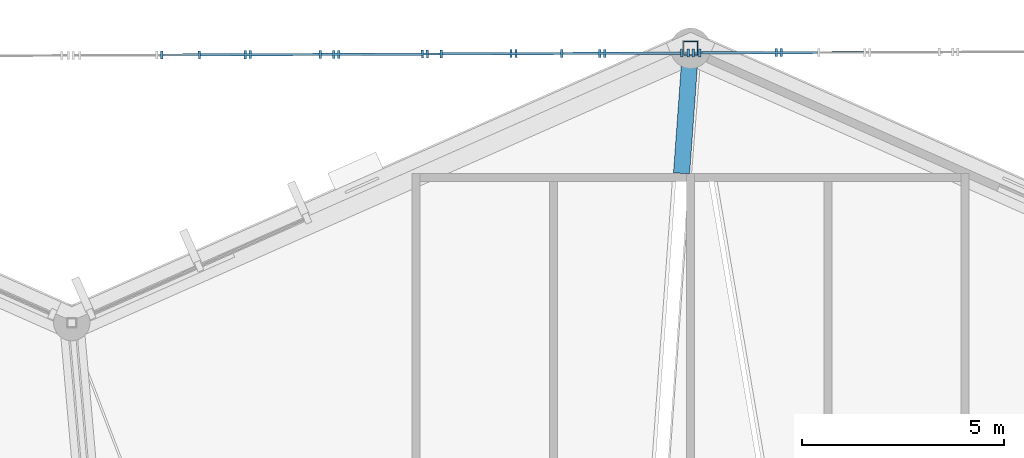
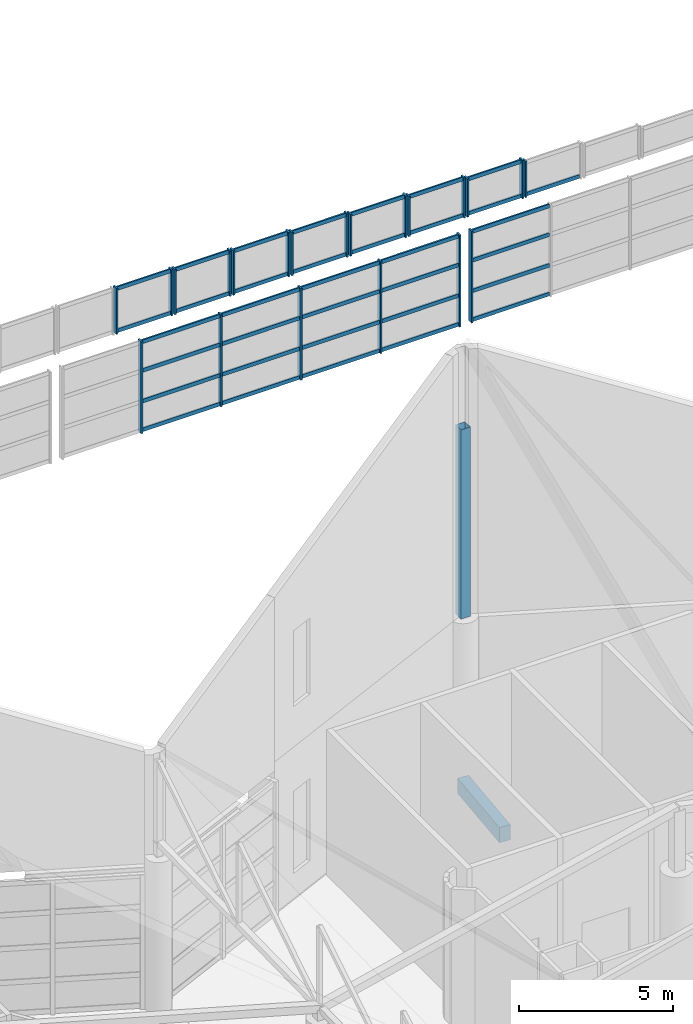
# One storey, part 172 of 344: 57 members, 1 beam, 10 elements without a shape of their own.
"""IFC4 building model written with IfcOpenShell, lengths in metres."""

from ifc_helpers import new_model, si_unit, direction, frame, origin, origin_2d, place, context, subcontext, project, spatial, rectangle, hollow_rectangle, extrude, material, layer, layer_set, material_profile, profile_set, type_object, element, aggregate, save


model = new_model("IFC4")

# Units and contexts
model_context = context("Model", 3, precision=1e-05, world=origin(), true_north=direction((0.0, 1.0)))
body_context = subcontext(model_context, "Body", "Model", "MODEL_VIEW")
ifc_project = project(units=[si_unit("LENGTHUNIT", "METRE"), si_unit("AREAUNIT", "SQUARE_METRE"), si_unit("VOLUMEUNIT", "CUBIC_METRE"), si_unit("PLANEANGLEUNIT", "RADIAN"), si_unit("MASSUNIT", "GRAM", prefix="KILO")], contexts=[model_context])

# Site, building, storey
site_placement = place(None, origin())
site = spatial("IfcSite", under=ifc_project, at=site_placement, CompositionType="ELEMENT")
building_placement = place(site_placement, origin())
building = spatial("IfcBuilding", under=site, at=building_placement, Name="Meseta Stadium", CompositionType="ELEMENT")
storey_placement = place(building_placement, frame((0.0, 0.0, 24.0)))
storey = spatial("IfcBuildingStorey", under=building, at=storey_placement, Name="L04", CompositionType="ELEMENT", Elevation=24.0)

# Curtain wall, member
ifc_material_1 = material(Name="Aluminium", Category="aluminium")
ifc_layer = layer(ifc_material_1, 0.199951171875)
ifc_layer_set = layer_set([ifc_layer], Name="Gable glazing curtain wall")
curtain_wall_type = type_object("IfcCurtainWallType", Name="Gable glazing curtain wall", PredefinedType="NOTDEFINED", material=ifc_layer_set)
curtain_wall_1_placement = place(storey_placement, origin())
curtain_wall_1 = element("IfcCurtainWall", 1, at=curtain_wall_1_placement, inside=storey, type_object=curtain_wall_type, Name="Gable glazing north bay 13", PredefinedType="NOTDEFINED")
ifc_material_2 = material(Name="Aluminium", Category="aluminium")
ifc_material_profile_1 = material_profile(ifc_material_2, rectangle(XDim=0.199951171875, YDim=0.06005859375, at=origin_2d()), Name="CW 200x60")
ifc_profile_set_1 = profile_set([ifc_material_profile_1], Name="Aluminium")
member_type_1 = type_object("IfcMemberType", Name="CW mullion 60x200", PredefinedType="MULLION", material=ifc_profile_set_1)
member_1_placement = place(storey_placement, frame((9.915771484375, 105.290771484375, 21.85498046875), z_axis=(0.0, 0.0, 1.0), x_axis=(0.003847534233, -0.999992598213, 0.0)))
member_1 = element("IfcMember", 2, at=member_1_placement, type_object=member_type_1, Name="CWG mullion 2", PredefinedType="MULLION", context=body_context, shape_type="SweptSolid", body=[
    extrude(rectangle(XDim=0.199951171875, YDim=0.06005859375, at=origin_2d()), origin(), (0.0, 0.0, 1.0), 1.422607421875),
])

# Curtain wall, members
curtain_wall_2_placement = place(storey_placement, origin())
curtain_wall_2 = element("IfcCurtainWall", 3, at=curtain_wall_2_placement, inside=storey, type_object=curtain_wall_type, Name="Gable glazing north bay 14", PredefinedType="NOTDEFINED")
member_2_placement = place(storey_placement, frame((9.791748046875, 105.290283203125, 21.85498046875), z_axis=(0.0, 0.0, 1.0), x_axis=(0.003847534233, -0.999992598213, 0.0)))
member_2 = element("IfcMember", 4, at=member_2_placement, type_object=member_type_1, Name="CWG mullion 1", PredefinedType="MULLION", context=body_context, shape_type="SweptSolid", body=[
    extrude(rectangle(XDim=0.199951171875, YDim=0.06005859375, at=origin_2d()), origin(), (0.0, 0.0, 1.0), 1.51318359375),
])
member_3_placement = place(storey_placement, frame((7.72900390625, 105.2822265625, 21.85498046875), z_axis=(0.0, 0.0, 1.0), x_axis=(0.003847534233, -0.999992598213, 0.0)))
member_3 = element("IfcMember", 5, at=member_3_placement, type_object=member_type_1, Name="CWG mullion 2", PredefinedType="MULLION", context=body_context, shape_type="SweptSolid", body=[
    extrude(rectangle(XDim=0.199951171875, YDim=0.06005859375, at=origin_2d()), origin(), (0.0, 0.0, 1.0), 1.51318359375),
])

curtain_wall_3_placement = place(storey_placement, origin())
curtain_wall_3 = element("IfcCurtainWall", 6, at=curtain_wall_3_placement, inside=storey, type_object=curtain_wall_type, Name="Gable glazing north bay 15", PredefinedType="NOTDEFINED")
member_4_placement = place(storey_placement, frame((7.605224609375, 105.28173828125, 21.85498046875), z_axis=(0.0, 0.0, 1.0), x_axis=(0.003847534652, -0.999992598211, 0.0)))
member_4 = element("IfcMember", 7, at=member_4_placement, type_object=member_type_1, Name="CWG mullion 1", PredefinedType="MULLION", context=body_context, shape_type="SweptSolid", body=[
    extrude(rectangle(XDim=0.199951171875, YDim=0.06005859375, at=origin_2d()), origin(), (0.0, 0.0, 1.0), 1.59228515625),
])
member_5_placement = place(storey_placement, frame((5.534912109375, 105.27392578125, 21.85498046875), z_axis=(0.0, 0.0, 1.0), x_axis=(0.003847534652, -0.999992598211, 0.0)))
member_5 = element("IfcMember", 8, at=member_5_placement, type_object=member_type_1, Name="CWG mullion 2", PredefinedType="MULLION", context=body_context, shape_type="SweptSolid", body=[
    extrude(rectangle(XDim=0.199951171875, YDim=0.06005859375, at=origin_2d()), origin(), (0.0, 0.0, 1.0), 1.59228515625),
])

curtain_wall_4_placement = place(storey_placement, origin())
curtain_wall_4 = element("IfcCurtainWall", 9, at=curtain_wall_4_placement, inside=storey, type_object=curtain_wall_type, Name="Gable glazing north bay 16", PredefinedType="NOTDEFINED")
member_6_placement = place(storey_placement, frame((5.410888671875, 105.2734375, 21.85498046875), z_axis=(0.0, 0.0, 1.0), x_axis=(0.003847534181, -0.999992598213, 0.0)))
member_6 = element("IfcMember", 10, at=member_6_placement, type_object=member_type_1, Name="CWG mullion 1", PredefinedType="MULLION", context=body_context, shape_type="SweptSolid", body=[
    extrude(rectangle(XDim=0.199951171875, YDim=0.06005859375, at=origin_2d()), origin(), (0.0, 0.0, 1.0), 1.66015625),
])
member_7_placement = place(storey_placement, frame((3.3408203125, 105.265380859375, 21.85498046875), z_axis=(0.0, 0.0, 1.0), x_axis=(0.003847534181, -0.999992598213, 0.0)))
member_7 = element("IfcMember", 11, at=member_7_placement, type_object=member_type_1, Name="CWG mullion 2", PredefinedType="MULLION", context=body_context, shape_type="SweptSolid", body=[
    extrude(rectangle(XDim=0.199951171875, YDim=0.06005859375, at=origin_2d()), origin(), (0.0, 0.0, 1.0), 1.66015625),
])

curtain_wall_5_placement = place(storey_placement, origin())
curtain_wall_5 = element("IfcCurtainWall", 12, at=curtain_wall_5_placement, inside=storey, type_object=curtain_wall_type, Name="Gable glazing north bay 17", PredefinedType="NOTDEFINED")
member_8_placement = place(storey_placement, frame((3.216796875, 105.264892578125, 21.85498046875), z_axis=(0.0, 0.0, 1.0), x_axis=(0.003847534181, -0.999992598213, 0.0)))
member_8 = element("IfcMember", 13, at=member_8_placement, type_object=member_type_1, Name="CWG mullion 1", PredefinedType="MULLION", context=body_context, shape_type="SweptSolid", body=[
    extrude(rectangle(XDim=0.199951171875, YDim=0.06005859375, at=origin_2d()), origin(), (0.0, 0.0, 1.0), 1.716796875),
])
member_9_placement = place(storey_placement, frame((1.146484375, 105.2568359375, 21.85498046875), z_axis=(0.0, 0.0, 1.0), x_axis=(0.003847534181, -0.999992598213, 0.0)))
member_9 = element("IfcMember", 14, at=member_9_placement, type_object=member_type_1, Name="CWG mullion 2", PredefinedType="MULLION", context=body_context, shape_type="SweptSolid", body=[
    extrude(rectangle(XDim=0.199951171875, YDim=0.06005859375, at=origin_2d()), origin(), (0.0, 0.0, 1.0), 1.716796875),
])

curtain_wall_6_placement = place(storey_placement, origin())
curtain_wall_6 = element("IfcCurtainWall", 15, at=curtain_wall_6_placement, inside=storey, type_object=curtain_wall_type, Name="Gable glazing north bay 18", PredefinedType="NOTDEFINED")
member_10_placement = place(storey_placement, frame((1.0224609375, 105.25634765625, 21.85498046875), z_axis=(0.0, 0.0, 1.0), x_axis=(0.003847534181, -0.999992598213, 0.0)))
member_10 = element("IfcMember", 16, at=member_10_placement, type_object=member_type_1, Name="CWG mullion 1", PredefinedType="MULLION", context=body_context, shape_type="SweptSolid", body=[
    extrude(rectangle(XDim=0.199951171875, YDim=0.06005859375, at=origin_2d()), origin(), (0.0, 0.0, 1.0), 1.76220703125),
])
member_11_placement = place(storey_placement, frame((-1.047607421875, 105.24853515625, 21.85498046875), z_axis=(0.0, 0.0, 1.0), x_axis=(0.003847534181, -0.999992598213, 0.0)))
member_11 = element("IfcMember", 17, at=member_11_placement, type_object=member_type_1, Name="CWG mullion 2", PredefinedType="MULLION", context=body_context, shape_type="SweptSolid", body=[
    extrude(rectangle(XDim=0.199951171875, YDim=0.06005859375, at=origin_2d()), origin(), (0.0, 0.0, 1.0), 1.76220703125),
])

curtain_wall_7_placement = place(storey_placement, origin())
curtain_wall_7 = element("IfcCurtainWall", 18, at=curtain_wall_7_placement, inside=storey, type_object=curtain_wall_type, Name="Gable glazing north bay 19", PredefinedType="NOTDEFINED")
member_12_placement = place(storey_placement, frame((-1.171630859375, 105.248046875, 21.85498046875), z_axis=(0.0, 0.0, 1.0), x_axis=(0.003847534181, -0.999992598213, 0.0)))
member_12 = element("IfcMember", 19, at=member_12_placement, type_object=member_type_1, Name="CWG mullion 1", PredefinedType="MULLION", context=body_context, shape_type="SweptSolid", body=[
    extrude(rectangle(XDim=0.199951171875, YDim=0.06005859375, at=origin_2d()), origin(), (0.0, 0.0, 1.0), 1.796630859375),
])
member_13_placement = place(storey_placement, frame((-3.24169921875, 105.239990234375, 21.85498046875), z_axis=(0.0, 0.0, 1.0), x_axis=(0.003847534181, -0.999992598213, 0.0)))
member_13 = element("IfcMember", 20, at=member_13_placement, type_object=member_type_1, Name="CWG mullion 2", PredefinedType="MULLION", context=body_context, shape_type="SweptSolid", body=[
    extrude(rectangle(XDim=0.199951171875, YDim=0.06005859375, at=origin_2d()), origin(), (0.0, 0.0, 1.0), 1.796630859375),
])

curtain_wall_8_placement = place(storey_placement, origin())
curtain_wall_8 = element("IfcCurtainWall", 21, at=curtain_wall_8_placement, inside=storey, type_object=curtain_wall_type, Name="Gable glazing north bay 20", PredefinedType="NOTDEFINED")
member_14_placement = place(storey_placement, frame((-3.36572265625, 105.239501953125, 21.85498046875), z_axis=(0.0, 0.0, 1.0), x_axis=(0.003847534181, -0.999992598213, 0.0)))
member_14 = element("IfcMember", 22, at=member_14_placement, type_object=member_type_1, Name="CWG mullion 1", PredefinedType="MULLION", context=body_context, shape_type="SweptSolid", body=[
    extrude(rectangle(XDim=0.199951171875, YDim=0.06005859375, at=origin_2d()), origin(), (0.0, 0.0, 1.0), 1.820068359375),
])
member_15_placement = place(storey_placement, frame((-5.43603515625, 105.231689453125, 21.85498046875), z_axis=(0.0, 0.0, 1.0), x_axis=(0.003847534181, -0.999992598213, 0.0)))
member_15 = element("IfcMember", 23, at=member_15_placement, type_object=member_type_1, Name="CWG mullion 2", PredefinedType="MULLION", context=body_context, shape_type="SweptSolid", body=[
    extrude(rectangle(XDim=0.199951171875, YDim=0.06005859375, at=origin_2d()), origin(), (0.0, 0.0, 1.0), 1.820068359375),
])

# Curtain wall, member
curtain_wall_9_placement = place(storey_placement, origin())
curtain_wall_9 = element("IfcCurtainWall", 24, at=curtain_wall_9_placement, inside=storey, type_object=curtain_wall_type, Name="Gable glazing north lower bay 02", PredefinedType="NOTDEFINED")
member_16_placement = place(storey_placement, frame((7.892578125, 105.282958984375, 17.60009765625), z_axis=(0.0, 0.0, 1.0), x_axis=(0.003847534198, -0.999992598213, 0.0)))
member_16 = element("IfcMember", 25, at=member_16_placement, type_object=member_type_1, Name="CWG mullion 6", PredefinedType="MULLION", context=body_context, shape_type="SweptSolid", body=[
    extrude(rectangle(XDim=0.199951171875, YDim=0.06005859375, at=origin_2d()), origin(), (0.0, 0.0, 1.0), 3.635009765625),
])

# Curtain wall, members
curtain_wall_10_placement = place(storey_placement, origin())
curtain_wall_10 = element("IfcCurtainWall", 26, at=curtain_wall_10_placement, inside=storey, type_object=curtain_wall_type, Name="Gable glazing north lower bay 03", PredefinedType="NOTDEFINED")
member_17_placement = place(storey_placement, frame((7.441650390625, 105.28125, 17.60009765625), z_axis=(0.0, 0.0, 1.0), x_axis=(0.003847534216, -0.999992598213, 0.0)))
member_17 = element("IfcMember", 27, at=member_17_placement, type_object=member_type_1, Name="CWG mullion 1", PredefinedType="MULLION", context=body_context, shape_type="SweptSolid", body=[
    extrude(rectangle(XDim=0.199951171875, YDim=0.06005859375, at=origin_2d()), origin(), (0.0, 0.0, 1.0), 3.635009765625),
])
member_18_placement = place(storey_placement, frame((4.47802734375, 105.269775390625, 17.60009765625), z_axis=(0.0, 0.0, 1.0), x_axis=(0.003847534216, -0.999992598213, 0.0)))
member_18 = element("IfcMember", 28, at=member_18_placement, type_object=member_type_1, Name="CWG mullion 2", PredefinedType="MULLION", context=body_context, shape_type="SweptSolid", body=[
    extrude(rectangle(XDim=0.199951171875, YDim=0.06005859375, at=origin_2d()), origin(), (0.0, 0.0, 1.0), 3.635009765625),
])
member_19_placement = place(storey_placement, frame((1.484375, 105.25830078125, 17.60009765625), z_axis=(0.0, 0.0, 1.0), x_axis=(0.003847534216, -0.999992598213, 0.0)))
member_19 = element("IfcMember", 29, at=member_19_placement, type_object=member_type_1, Name="CWG mullion 3", PredefinedType="MULLION", context=body_context, shape_type="SweptSolid", body=[
    extrude(rectangle(XDim=0.199951171875, YDim=0.06005859375, at=origin_2d()), origin(), (0.0, 0.0, 1.0), 3.635009765625),
])
member_20_placement = place(storey_placement, frame((-1.50927734375, 105.24658203125, 17.60009765625), z_axis=(0.0, 0.0, 1.0), x_axis=(0.003847534216, -0.999992598213, 0.0)))
member_20 = element("IfcMember", 30, at=member_20_placement, type_object=member_type_1, Name="CWG mullion 4", PredefinedType="MULLION", context=body_context, shape_type="SweptSolid", body=[
    extrude(rectangle(XDim=0.199951171875, YDim=0.06005859375, at=origin_2d()), origin(), (0.0, 0.0, 1.0), 3.635009765625),
])
member_21_placement = place(storey_placement, frame((-4.5029296875, 105.235107421875, 17.60009765625), z_axis=(0.0, 0.0, 1.0), x_axis=(0.003847534216, -0.999992598213, 0.0)))
member_21 = element("IfcMember", 31, at=member_21_placement, type_object=member_type_1, Name="CWG mullion 5", PredefinedType="MULLION", context=body_context, shape_type="SweptSolid", body=[
    extrude(rectangle(XDim=0.199951171875, YDim=0.06005859375, at=origin_2d()), origin(), (0.0, 0.0, 1.0), 3.635009765625),
])

# Member
ifc_material_3 = material(Name="Aluminium", Category="aluminium")
ifc_material_profile_2 = material_profile(ifc_material_3, rectangle(XDim=0.06005859375, YDim=0.14990234375, at=origin_2d()), Name="CW 60x150")
ifc_profile_set_2 = profile_set([ifc_material_profile_2], Name="Aluminium")
member_type_2 = type_object("IfcMemberType", Name="CW transom 60x150", PredefinedType="USERDEFINED", material=ifc_profile_set_2)
member_22_placement = place(storey_placement, frame((11.948486328125, 105.298583984375, 21.929931640625), z_axis=(-0.99999239114, -0.003900982143, 0.0), x_axis=(0.003900982143, -0.99999239114, 0.0)))
member_22 = element("IfcMember", 32, at=member_22_placement, type_object=member_type_2, Name="CWG transom 1.1", ObjectType="TRANSOM", PredefinedType="USERDEFINED", context=body_context, shape_type="SweptSolid", body=[
    extrude(rectangle(XDim=0.06005859375, YDim=0.14990234375, at=origin_2d()), origin(), (0.0, 0.0, 1.0), 2.002685546875),
])

aggregate(curtain_wall_1, [member_1, member_22])

member_23_placement = place(storey_placement, frame((9.76171875, 105.2900390625, 21.929931640625), z_axis=(-0.999992859258, -0.00377907822, 0.0), x_axis=(0.00377907822, -0.999992859258, 0.0)))
member_23 = element("IfcMember", 33, at=member_23_placement, type_object=member_type_2, Name="CWG transom 1.1", ObjectType="TRANSOM", PredefinedType="USERDEFINED", context=body_context, shape_type="SweptSolid", body=[
    extrude(rectangle(XDim=0.06005859375, YDim=0.14990234375, at=origin_2d()), origin(), (0.0, 0.0, 1.0), 2.002685546875),
])

member_24_placement = place(storey_placement, frame((9.76171875, 105.2900390625, 23.293212890625), z_axis=(-0.999992859258, -0.00377907822, 0.0), x_axis=(0.00377907822, -0.999992859258, 0.0)))
member_24 = element("IfcMember", 34, at=member_24_placement, type_object=member_type_2, Name="CWG transom 1.2", ObjectType="TRANSOM", PredefinedType="USERDEFINED", context=body_context, shape_type="SweptSolid", body=[
    extrude(rectangle(XDim=0.06005859375, YDim=0.14990234375, at=origin_2d()), origin(), (0.0, 0.0, 1.0), 2.002685546875),
])

aggregate(curtain_wall_2, [member_2, member_3, member_23, member_24])

member_25_placement = place(storey_placement, frame((7.5751953125, 105.28173828125, 21.929931640625), z_axis=(-0.999992448325, -0.003886295646, 0.0), x_axis=(0.003886295646, -0.999992448325, 0.0)))
member_25 = element("IfcMember", 35, at=member_25_placement, type_object=member_type_2, Name="CWG transom 1.1", ObjectType="TRANSOM", PredefinedType="USERDEFINED", context=body_context, shape_type="SweptSolid", body=[
    extrude(rectangle(XDim=0.06005859375, YDim=0.14990234375, at=origin_2d()), origin(), (0.0, 0.0, 1.0), 2.01025390625),
])

member_26_placement = place(storey_placement, frame((7.5751953125, 105.28173828125, 23.372314453125), z_axis=(-0.999992448325, -0.003886295646, 0.0), x_axis=(0.003886295646, -0.999992448325, 0.0)))
member_26 = element("IfcMember", 36, at=member_26_placement, type_object=member_type_2, Name="CWG transom 1.2", ObjectType="TRANSOM", PredefinedType="USERDEFINED", context=body_context, shape_type="SweptSolid", body=[
    extrude(rectangle(XDim=0.06005859375, YDim=0.14990234375, at=origin_2d()), origin(), (0.0, 0.0, 1.0), 2.01025390625),
])

aggregate(curtain_wall_3, [member_4, member_5, member_25, member_26])

member_27_placement = place(storey_placement, frame((5.380859375, 105.273193359375, 21.929931640625), z_axis=(-0.99999244649, -0.003886767677, 0.0), x_axis=(0.003886767677, -0.99999244649, 0.0)))
member_27 = element("IfcMember", 37, at=member_27_placement, type_object=member_type_2, Name="CWG transom 1.1", ObjectType="TRANSOM", PredefinedType="USERDEFINED", context=body_context, shape_type="SweptSolid", body=[
    extrude(rectangle(XDim=0.06005859375, YDim=0.14990234375, at=origin_2d()), origin(), (0.0, 0.0, 1.0), 2.010009765625),
])

member_28_placement = place(storey_placement, frame((5.380859375, 105.273193359375, 23.440185546875), z_axis=(-0.99999244649, -0.003886767677, 0.0), x_axis=(0.003886767677, -0.99999244649, 0.0)))
member_28 = element("IfcMember", 38, at=member_28_placement, type_object=member_type_2, Name="CWG transom 1.2", ObjectType="TRANSOM", PredefinedType="USERDEFINED", context=body_context, shape_type="SweptSolid", body=[
    extrude(rectangle(XDim=0.06005859375, YDim=0.14990234375, at=origin_2d()), origin(), (0.0, 0.0, 1.0), 2.010009765625),
])

aggregate(curtain_wall_4, [member_6, member_7, member_27, member_28])

member_29_placement = place(storey_placement, frame((3.186767578125, 105.264892578125, 21.929931640625), z_axis=(-0.999992448325, -0.003886295646, 0.0), x_axis=(0.003886295646, -0.999992448325, 0.0)))
member_29 = element("IfcMember", 39, at=member_29_placement, type_object=member_type_2, Name="CWG transom 1.1", ObjectType="TRANSOM", PredefinedType="USERDEFINED", context=body_context, shape_type="SweptSolid", body=[
    extrude(rectangle(XDim=0.06005859375, YDim=0.14990234375, at=origin_2d()), origin(), (0.0, 0.0, 1.0), 2.01025390625),
])

member_30_placement = place(storey_placement, frame((3.186767578125, 105.264892578125, 23.496826171875), z_axis=(-0.999992448325, -0.003886295646, 0.0), x_axis=(0.003886295646, -0.999992448325, 0.0)))
member_30 = element("IfcMember", 40, at=member_30_placement, type_object=member_type_2, Name="CWG transom 1.2", ObjectType="TRANSOM", PredefinedType="USERDEFINED", context=body_context, shape_type="SweptSolid", body=[
    extrude(rectangle(XDim=0.06005859375, YDim=0.14990234375, at=origin_2d()), origin(), (0.0, 0.0, 1.0), 2.01025390625),
])

aggregate(curtain_wall_5, [member_8, member_9, member_29, member_30])

member_31_placement = place(storey_placement, frame((0.99267578125, 105.25634765625, 21.929931640625), z_axis=(-0.999992448325, -0.003886295646, 0.0), x_axis=(0.003886295646, -0.999992448325, 0.0)))
member_31 = element("IfcMember", 41, at=member_31_placement, type_object=member_type_2, Name="CWG transom 1.1", ObjectType="TRANSOM", PredefinedType="USERDEFINED", context=body_context, shape_type="SweptSolid", body=[
    extrude(rectangle(XDim=0.06005859375, YDim=0.14990234375, at=origin_2d()), origin(), (0.0, 0.0, 1.0), 2.01025390625),
])

member_32_placement = place(storey_placement, frame((0.99267578125, 105.25634765625, 23.542236328125), z_axis=(-0.999992448325, -0.003886295646, 0.0), x_axis=(0.003886295646, -0.999992448325, 0.0)))
member_32 = element("IfcMember", 42, at=member_32_placement, type_object=member_type_2, Name="CWG transom 1.2", ObjectType="TRANSOM", PredefinedType="USERDEFINED", context=body_context, shape_type="SweptSolid", body=[
    extrude(rectangle(XDim=0.06005859375, YDim=0.14990234375, at=origin_2d()), origin(), (0.0, 0.0, 1.0), 2.01025390625),
])

aggregate(curtain_wall_6, [member_10, member_11, member_31, member_32])

member_33_placement = place(storey_placement, frame((-1.20166015625, 105.247802734375, 21.929931640625), z_axis=(-0.999992911203, -0.003765307937, 0.0), x_axis=(0.003765307937, -0.999992911203, 0.0)))
member_33 = element("IfcMember", 43, at=member_33_placement, type_object=member_type_2, Name="CWG transom 1.1", ObjectType="TRANSOM", PredefinedType="USERDEFINED", context=body_context, shape_type="SweptSolid", body=[
    extrude(rectangle(XDim=0.06005859375, YDim=0.14990234375, at=origin_2d()), origin(), (0.0, 0.0, 1.0), 2.010009765625),
])

member_34_placement = place(storey_placement, frame((-1.20166015625, 105.247802734375, 23.57666015625), z_axis=(-0.999992911203, -0.003765307937, 0.0), x_axis=(0.003765307937, -0.999992911203, 0.0)))
member_34 = element("IfcMember", 44, at=member_34_placement, type_object=member_type_2, Name="CWG transom 1.2", ObjectType="TRANSOM", PredefinedType="USERDEFINED", context=body_context, shape_type="SweptSolid", body=[
    extrude(rectangle(XDim=0.06005859375, YDim=0.14990234375, at=origin_2d()), origin(), (0.0, 0.0, 1.0), 2.010009765625),
])

aggregate(curtain_wall_7, [member_12, member_13, member_33, member_34])

member_35_placement = place(storey_placement, frame((-3.395751953125, 105.239501953125, 21.929931640625), z_axis=(-0.999992448325, -0.003886295646, 0.0), x_axis=(0.003886295646, -0.999992448325, 0.0)))
member_35 = element("IfcMember", 45, at=member_35_placement, type_object=member_type_2, Name="CWG transom 1.1", ObjectType="TRANSOM", PredefinedType="USERDEFINED", context=body_context, shape_type="SweptSolid", body=[
    extrude(rectangle(XDim=0.06005859375, YDim=0.14990234375, at=origin_2d()), origin(), (0.0, 0.0, 1.0), 2.01025390625),
])

member_36_placement = place(storey_placement, frame((-3.395751953125, 105.239501953125, 23.60009765625), z_axis=(-0.999992448325, -0.003886295646, 0.0), x_axis=(0.003886295646, -0.999992448325, 0.0)))
member_36 = element("IfcMember", 46, at=member_36_placement, type_object=member_type_2, Name="CWG transom 1.2", ObjectType="TRANSOM", PredefinedType="USERDEFINED", context=body_context, shape_type="SweptSolid", body=[
    extrude(rectangle(XDim=0.06005859375, YDim=0.14990234375, at=origin_2d()), origin(), (0.0, 0.0, 1.0), 2.01025390625),
])

aggregate(curtain_wall_8, [member_14, member_15, member_35, member_36])

member_37_placement = place(storey_placement, frame((10.81591796875, 105.294189453125, 17.675048828125), z_axis=(-0.999992466951, -0.003881499745, 0.0), x_axis=(0.003881499745, -0.999992466951, 0.0)))
member_37 = element("IfcMember", 47, at=member_37_placement, type_object=member_type_2, Name="CWG transom 5.1", ObjectType="TRANSOM", PredefinedType="USERDEFINED", context=body_context, shape_type="SweptSolid", body=[
    extrude(rectangle(XDim=0.06005859375, YDim=0.14990234375, at=origin_2d()), origin(), (0.0, 0.0, 1.0), 2.893310546875),
])

member_38_placement = place(storey_placement, frame((10.81591796875, 105.294189453125, 18.811767578125), z_axis=(-0.999992466951, -0.003881499745, 0.0), x_axis=(0.003881499745, -0.999992466951, 0.0)))
member_38 = element("IfcMember", 48, at=member_38_placement, type_object=member_type_2, Name="CWG transom 5.2", ObjectType="TRANSOM", PredefinedType="USERDEFINED", context=body_context, shape_type="SweptSolid", body=[
    extrude(rectangle(XDim=0.06005859375, YDim=0.14990234375, at=origin_2d()), origin(), (0.0, 0.0, 1.0), 2.893310546875),
])

member_39_placement = place(storey_placement, frame((10.81591796875, 105.294189453125, 20.0234375), z_axis=(-0.999992466951, -0.003881499745, 0.0), x_axis=(0.003881499745, -0.999992466951, 0.0)))
member_39 = element("IfcMember", 49, at=member_39_placement, type_object=member_type_2, Name="CWG transom 5.3", ObjectType="TRANSOM", PredefinedType="USERDEFINED", context=body_context, shape_type="SweptSolid", body=[
    extrude(rectangle(XDim=0.06005859375, YDim=0.14990234375, at=origin_2d()), origin(), (0.0, 0.0, 1.0), 2.893310546875),
])

member_40_placement = place(storey_placement, frame((10.81591796875, 105.294189453125, 21.159912109375), z_axis=(-0.999992466951, -0.003881499745, 0.0), x_axis=(0.003881499745, -0.999992466951, 0.0)))
member_40 = element("IfcMember", 50, at=member_40_placement, type_object=member_type_2, Name="CWG transom 5.4", ObjectType="TRANSOM", PredefinedType="USERDEFINED", context=body_context, shape_type="SweptSolid", body=[
    extrude(rectangle(XDim=0.06005859375, YDim=0.14990234375, at=origin_2d()), origin(), (0.0, 0.0, 1.0), 2.893310546875),
])

aggregate(curtain_wall_9, [member_16, member_37, member_38, member_39, member_40])

member_41_placement = place(storey_placement, frame((7.41162109375, 105.281005859375, 17.675048828125), z_axis=(-0.999992520063, -0.003867792476, 0.0), x_axis=(0.003867792476, -0.999992520063, 0.0)))
member_41 = element("IfcMember", 51, at=member_41_placement, type_object=member_type_2, Name="CWG transom 1.1", ObjectType="TRANSOM", PredefinedType="USERDEFINED", context=body_context, shape_type="SweptSolid", body=[
    extrude(rectangle(XDim=0.06005859375, YDim=0.14990234375, at=origin_2d()), origin(), (0.0, 0.0, 1.0), 2.903564453125),
])

member_42_placement = place(storey_placement, frame((7.41162109375, 105.281005859375, 18.811767578125), z_axis=(-0.999992520063, -0.003867792476, 0.0), x_axis=(0.003867792476, -0.999992520063, 0.0)))
member_42 = element("IfcMember", 52, at=member_42_placement, type_object=member_type_2, Name="CWG transom 1.2", ObjectType="TRANSOM", PredefinedType="USERDEFINED", context=body_context, shape_type="SweptSolid", body=[
    extrude(rectangle(XDim=0.06005859375, YDim=0.14990234375, at=origin_2d()), origin(), (0.0, 0.0, 1.0), 2.903564453125),
])

member_43_placement = place(storey_placement, frame((7.41162109375, 105.281005859375, 20.0234375), z_axis=(-0.999992520063, -0.003867792476, 0.0), x_axis=(0.003867792476, -0.999992520063, 0.0)))
member_43 = element("IfcMember", 53, at=member_43_placement, type_object=member_type_2, Name="CWG transom 1.3", ObjectType="TRANSOM", PredefinedType="USERDEFINED", context=body_context, shape_type="SweptSolid", body=[
    extrude(rectangle(XDim=0.06005859375, YDim=0.14990234375, at=origin_2d()), origin(), (0.0, 0.0, 1.0), 2.903564453125),
])

member_44_placement = place(storey_placement, frame((7.41162109375, 105.281005859375, 21.159912109375), z_axis=(-0.999992520063, -0.003867792476, 0.0), x_axis=(0.003867792476, -0.999992520063, 0.0)))
member_44 = element("IfcMember", 54, at=member_44_placement, type_object=member_type_2, Name="CWG transom 1.4", ObjectType="TRANSOM", PredefinedType="USERDEFINED", context=body_context, shape_type="SweptSolid", body=[
    extrude(rectangle(XDim=0.06005859375, YDim=0.14990234375, at=origin_2d()), origin(), (0.0, 0.0, 1.0), 2.903564453125),
])

member_45_placement = place(storey_placement, frame((4.447998046875, 105.26953125, 17.675048828125), z_axis=(-0.999992672412, -0.003828200976, 0.0), x_axis=(0.003828200976, -0.999992672412, 0.0)))
member_45 = element("IfcMember", 55, at=member_45_placement, type_object=member_type_2, Name="CWG transom 2.1", ObjectType="TRANSOM", PredefinedType="USERDEFINED", context=body_context, shape_type="SweptSolid", body=[
    extrude(rectangle(XDim=0.06005859375, YDim=0.14990234375, at=origin_2d()), origin(), (0.0, 0.0, 1.0), 2.93359375),
])

member_46_placement = place(storey_placement, frame((4.447998046875, 105.26953125, 18.811767578125), z_axis=(-0.999992672412, -0.003828200976, 0.0), x_axis=(0.003828200976, -0.999992672412, 0.0)))
member_46 = element("IfcMember", 56, at=member_46_placement, type_object=member_type_2, Name="CWG transom 2.2", ObjectType="TRANSOM", PredefinedType="USERDEFINED", context=body_context, shape_type="SweptSolid", body=[
    extrude(rectangle(XDim=0.06005859375, YDim=0.14990234375, at=origin_2d()), origin(), (0.0, 0.0, 1.0), 2.93359375),
])

member_47_placement = place(storey_placement, frame((4.447998046875, 105.26953125, 20.0234375), z_axis=(-0.999992672412, -0.003828200976, 0.0), x_axis=(0.003828200976, -0.999992672412, 0.0)))
member_47 = element("IfcMember", 57, at=member_47_placement, type_object=member_type_2, Name="CWG transom 2.3", ObjectType="TRANSOM", PredefinedType="USERDEFINED", context=body_context, shape_type="SweptSolid", body=[
    extrude(rectangle(XDim=0.06005859375, YDim=0.14990234375, at=origin_2d()), origin(), (0.0, 0.0, 1.0), 2.93359375),
])

member_48_placement = place(storey_placement, frame((4.447998046875, 105.26953125, 21.159912109375), z_axis=(-0.999992672412, -0.003828200976, 0.0), x_axis=(0.003828200976, -0.999992672412, 0.0)))
member_48 = element("IfcMember", 58, at=member_48_placement, type_object=member_type_2, Name="CWG transom 2.4", ObjectType="TRANSOM", PredefinedType="USERDEFINED", context=body_context, shape_type="SweptSolid", body=[
    extrude(rectangle(XDim=0.06005859375, YDim=0.14990234375, at=origin_2d()), origin(), (0.0, 0.0, 1.0), 2.93359375),
])

member_49_placement = place(storey_placement, frame((1.454345703125, 105.258056640625, 17.675048828125), z_axis=(-0.999992672412, -0.003828200976, 0.0), x_axis=(0.003828200976, -0.999992672412, 0.0)))
member_49 = element("IfcMember", 59, at=member_49_placement, type_object=member_type_2, Name="CWG transom 3.1", ObjectType="TRANSOM", PredefinedType="USERDEFINED", context=body_context, shape_type="SweptSolid", body=[
    extrude(rectangle(XDim=0.06005859375, YDim=0.14990234375, at=origin_2d()), origin(), (0.0, 0.0, 1.0), 2.93359375),
])

member_50_placement = place(storey_placement, frame((1.454345703125, 105.258056640625, 18.811767578125), z_axis=(-0.999992672412, -0.003828200976, 0.0), x_axis=(0.003828200976, -0.999992672412, 0.0)))
member_50 = element("IfcMember", 60, at=member_50_placement, type_object=member_type_2, Name="CWG transom 3.2", ObjectType="TRANSOM", PredefinedType="USERDEFINED", context=body_context, shape_type="SweptSolid", body=[
    extrude(rectangle(XDim=0.06005859375, YDim=0.14990234375, at=origin_2d()), origin(), (0.0, 0.0, 1.0), 2.93359375),
])

member_51_placement = place(storey_placement, frame((1.454345703125, 105.258056640625, 20.0234375), z_axis=(-0.999992672412, -0.003828200976, 0.0), x_axis=(0.003828200976, -0.999992672412, 0.0)))
member_51 = element("IfcMember", 61, at=member_51_placement, type_object=member_type_2, Name="CWG transom 3.3", ObjectType="TRANSOM", PredefinedType="USERDEFINED", context=body_context, shape_type="SweptSolid", body=[
    extrude(rectangle(XDim=0.06005859375, YDim=0.14990234375, at=origin_2d()), origin(), (0.0, 0.0, 1.0), 2.93359375),
])

member_52_placement = place(storey_placement, frame((1.454345703125, 105.258056640625, 21.159912109375), z_axis=(-0.999992672412, -0.003828200976, 0.0), x_axis=(0.003828200976, -0.999992672412, 0.0)))
member_52 = element("IfcMember", 62, at=member_52_placement, type_object=member_type_2, Name="CWG transom 3.4", ObjectType="TRANSOM", PredefinedType="USERDEFINED", context=body_context, shape_type="SweptSolid", body=[
    extrude(rectangle(XDim=0.06005859375, YDim=0.14990234375, at=origin_2d()), origin(), (0.0, 0.0, 1.0), 2.93359375),
])

member_53_placement = place(storey_placement, frame((-1.539306640625, 105.24658203125, 17.675048828125), z_axis=(-0.999992672412, -0.003828200976, 0.0), x_axis=(0.003828200976, -0.999992672412, 0.0)))
member_53 = element("IfcMember", 63, at=member_53_placement, type_object=member_type_2, Name="CWG transom 4.1", ObjectType="TRANSOM", PredefinedType="USERDEFINED", context=body_context, shape_type="SweptSolid", body=[
    extrude(rectangle(XDim=0.06005859375, YDim=0.14990234375, at=origin_2d()), origin(), (0.0, 0.0, 1.0), 2.93359375),
])

member_54_placement = place(storey_placement, frame((-1.539306640625, 105.24658203125, 18.811767578125), z_axis=(-0.999992672412, -0.003828200976, 0.0), x_axis=(0.003828200976, -0.999992672412, 0.0)))
member_54 = element("IfcMember", 64, at=member_54_placement, type_object=member_type_2, Name="CWG transom 4.2", ObjectType="TRANSOM", PredefinedType="USERDEFINED", context=body_context, shape_type="SweptSolid", body=[
    extrude(rectangle(XDim=0.06005859375, YDim=0.14990234375, at=origin_2d()), origin(), (0.0, 0.0, 1.0), 2.93359375),
])

member_55_placement = place(storey_placement, frame((-1.539306640625, 105.24658203125, 20.0234375), z_axis=(-0.999992672412, -0.003828200976, 0.0), x_axis=(0.003828200976, -0.999992672412, 0.0)))
member_55 = element("IfcMember", 65, at=member_55_placement, type_object=member_type_2, Name="CWG transom 4.3", ObjectType="TRANSOM", PredefinedType="USERDEFINED", context=body_context, shape_type="SweptSolid", body=[
    extrude(rectangle(XDim=0.06005859375, YDim=0.14990234375, at=origin_2d()), origin(), (0.0, 0.0, 1.0), 2.93359375),
])

member_56_placement = place(storey_placement, frame((-1.539306640625, 105.24658203125, 21.159912109375), z_axis=(-0.999992672412, -0.003828200976, 0.0), x_axis=(0.003828200976, -0.999992672412, 0.0)))
member_56 = element("IfcMember", 66, at=member_56_placement, type_object=member_type_2, Name="CWG transom 4.4", ObjectType="TRANSOM", PredefinedType="USERDEFINED", context=body_context, shape_type="SweptSolid", body=[
    extrude(rectangle(XDim=0.06005859375, YDim=0.14990234375, at=origin_2d()), origin(), (0.0, 0.0, 1.0), 2.93359375),
])

aggregate(curtain_wall_10, [member_17, member_18, member_19, member_20, member_21, member_41, member_42, member_43, member_44, member_45, member_46, member_47, member_48, member_49, member_50, member_51, member_52, member_53, member_54, member_55, member_56])

# Beam
ifc_material_4 = material(Name="Concrete C40/50", Category="concrete")
ifc_material_profile_3 = material_profile(ifc_material_4, rectangle(XDim=0.39990234375, YDim=0.60009765625, at=origin_2d()), Name="RC 400x600")
ifc_profile_set_3 = profile_set([ifc_material_profile_3], Name="Concrete C40/50")
beam_type = type_object("IfcBeamType", Name="RC beam 400x600", PredefinedType="BEAM", material=ifc_profile_set_3)
beam_placement = place(storey_placement, frame((7.44189453125, 102.300048828125, -0.699951171875), z_axis=(0.072346739974, 0.997379541205, 0.0), x_axis=(-0.997379541205, 0.072346739974, 0.0)))
element("IfcBeam", 67, at=beam_placement, inside=storey, type_object=beam_type, Name="L04 radial beam frame 18 line P to R", PredefinedType="BEAM", context=body_context, shape_type="SweptSolid", body=[
    extrude(rectangle(XDim=0.39990234375, YDim=0.60009765625, at=origin_2d()), origin(), (0.0, 0.0, 1.0), 3.10791015625),
])

# Member
ifc_material_5 = material(Name="Steel S355", Category="steel")
ifc_material_profile_4 = material_profile(ifc_material_5, hollow_rectangle(XDim=0.35009765625, YDim=0.35009765625, WallThickness=0.010009765625, at=origin_2d()), Name="SHS 350x350x10")
ifc_profile_set_4 = profile_set([ifc_material_profile_4], Name="Steel S355")
member_type_3 = type_object("IfcMemberType", Name="SHS 350x350x10 rim post", PredefinedType="POST", material=ifc_profile_set_4)
member_57_placement = place(storey_placement, frame((7.666748046875, 105.39990234375, 6.0), z_axis=(0.0, 0.0, 1.0), x_axis=(1.0, 0.0, 0.0)))
element("IfcMember", 68, at=member_57_placement, inside=storey, type_object=member_type_3, Name="ROOF RIM POST RT-18", PredefinedType="POST", context=body_context, shape_type="SweptSolid", body=[
    extrude(hollow_rectangle(XDim=0.35009765625, YDim=0.35009765625, WallThickness=0.010009765625, at=origin_2d()), origin(), (0.0, 0.0, 1.0), 7.486083984375),
])

save(model, "model.ifc")
